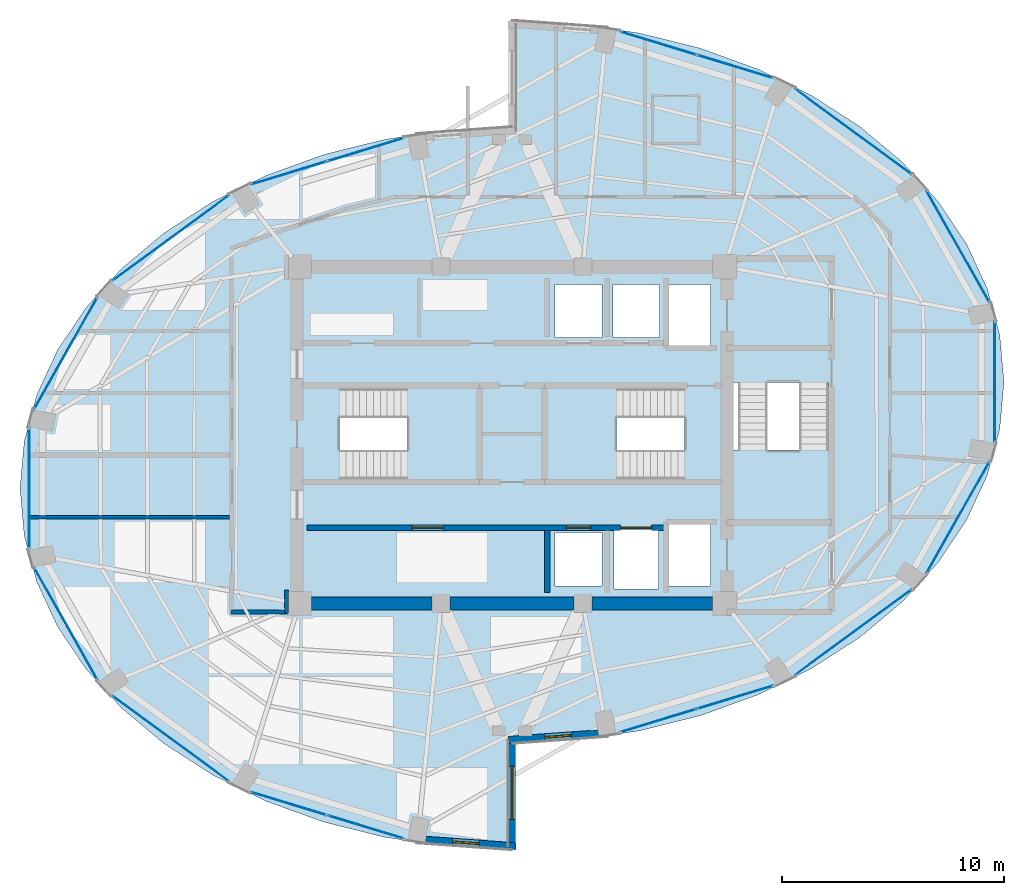
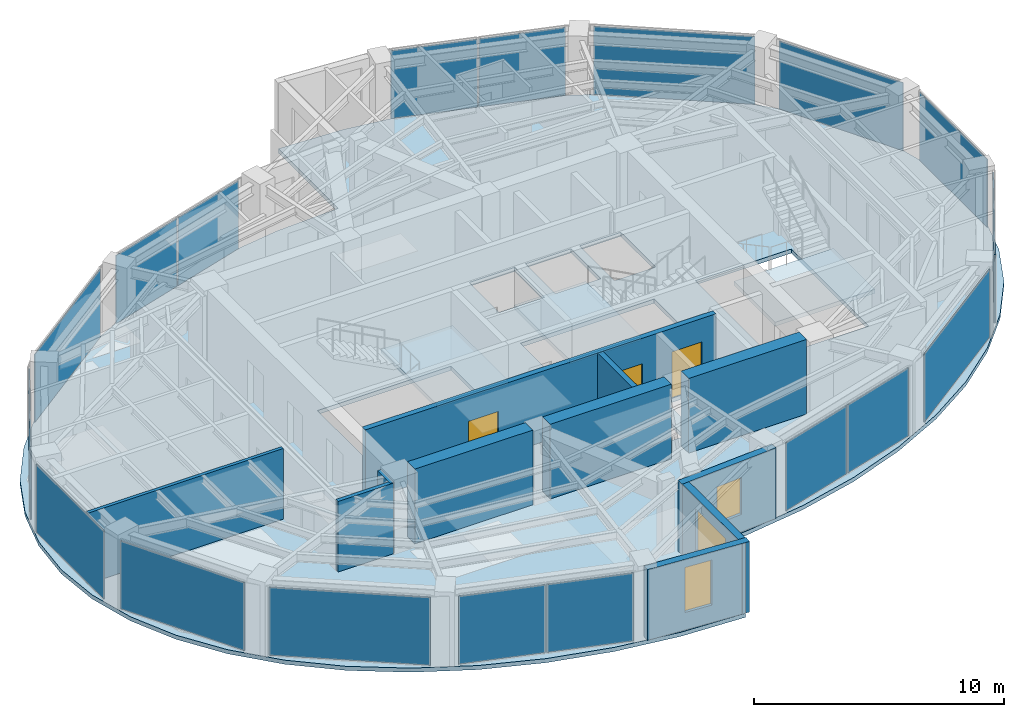
# One storey, part 18 of 23: 18 plates, 11 walls, 4 slabs, 3 doors, 3 windows, 6 openings, 17 elements without a shape of their own.
"""IFC4 building model written with IfcOpenShell, lengths in metres."""

from ifc_helpers import new_model, si_unit, direction, frame, frame_2d, origin, origin_2d, place, context, subcontext, project, spatial, polyline, rectangle, outline, extrude, material, layer, layer_set, type_object, element, fill, aggregate, save


model = new_model("IFC4")

# Units and contexts
model_context = context("Model", 3, precision=1e-05, world=origin(), true_north=direction((0.0, 1.0)))
body_context = subcontext(model_context, "Body", "Model", "MODEL_VIEW")
ifc_project = project(units=[si_unit("LENGTHUNIT", "METRE"), si_unit("AREAUNIT", "SQUARE_METRE"), si_unit("VOLUMEUNIT", "CUBIC_METRE"), si_unit("PLANEANGLEUNIT", "RADIAN"), si_unit("MASSUNIT", "GRAM", prefix="KILO")], contexts=[model_context])

# Site, building, storey
site_placement = place(None, origin())
site = spatial("IfcSite", under=ifc_project, at=site_placement, CompositionType="ELEMENT")
building_placement = place(site_placement, origin())
building = spatial("IfcBuilding", under=site, at=building_placement, Name="Lazwardi Medical Tower", CompositionType="ELEMENT")
storey_placement = place(building_placement, frame((0.0, 0.0, 202.1279296875)))
storey = spatial("IfcBuildingStorey", under=building, at=storey_placement, Name="L52", CompositionType="ELEMENT", Elevation=202.1279296875)

# Curtain wall, plates
ifc_material_1 = material(Name="Anodised bronze aluminium and solar control glazing", Category="aluminium")
ifc_layer_1 = layer(ifc_material_1, 0.18994140625)
ifc_layer_set_1 = layer_set([ifc_layer_1], Name="Anodised bronze aluminium and solar control glazing")
curtain_wall_type = type_object("IfcCurtainWallType", Name="CW-SYS-04", PredefinedType="NOTDEFINED", material=ifc_layer_set_1)
curtain_wall_1_placement = place(storey_placement, origin())
curtain_wall_1 = element("IfcCurtainWall", 1, at=curtain_wall_1_placement, inside=storey, type_object=curtain_wall_type, Name="L52 Unitised bronze curtain wall CW-04", PredefinedType="NOTDEFINED")
ifc_material_2 = material(Name="Low-e bronze solar control double glazing", Category="glass")
ifc_layer_2 = layer(ifc_material_2, 0.035888671875)
ifc_layer_set_2 = layer_set([ifc_layer_2], Name="Low-e bronze solar control double glazing")
plate_type = type_object("IfcPlateType", Name="PLT-GLZ-01", PredefinedType="CURTAIN_PANEL", material=ifc_layer_set_2)
plate_1_placement = place(storey_placement, frame((42.604736328125, 15.118896484375, 0.06494140625), z_axis=(0.0, 0.0, 1.0), x_axis=(0.956850126972, 0.290581889515, 0.0)))
plate_1 = element("IfcPlate", 2, at=plate_1_placement, type_object=plate_type, Name="CW-04 panel 1.1", PredefinedType="CURTAIN_PANEL", context=body_context, shape_type="SweptSolid", body=[
    extrude(rectangle(XDim=3.554443359375, YDim=0.035888671875, at=origin_2d()), origin(), (0.0, 0.0, 1.0), 3.318115234375),
])
plate_2_placement = place(storey_placement, frame((46.068115234375, 16.170654296875, 0.06494140625), z_axis=(0.0, 0.0, 1.0), x_axis=(0.956850126972, 0.290581889515, 0.0)))
plate_2 = element("IfcPlate", 3, at=plate_2_placement, type_object=plate_type, Name="CW-04 panel 2.1", PredefinedType="CURTAIN_PANEL", context=body_context, shape_type="SweptSolid", body=[
    extrude(rectangle(XDim=3.554443359375, YDim=0.035888671875, at=origin_2d()), origin(), (0.0, 0.0, 1.0), 3.318115234375),
])
aggregate(curtain_wall_1, [plate_1, plate_2])

# Curtain wall, plate
curtain_wall_2_placement = place(storey_placement, origin())
curtain_wall_2 = element("IfcCurtainWall", 4, at=curtain_wall_2_placement, inside=storey, type_object=curtain_wall_type, Name="L52 Unitised bronze curtain wall CW-04", PredefinedType="NOTDEFINED")
plate_3_placement = place(storey_placement, frame((51.403564453125, 19.106689453125, 0.06494140625), z_axis=(0.0, 0.0, 1.0), x_axis=(0.806474971121, 0.591268230971, 0.0)))
plate_3 = element("IfcPlate", 5, at=plate_3_placement, type_object=plate_type, Name="CW-04 panel 1.1", PredefinedType="CURTAIN_PANEL", context=body_context, shape_type="SweptSolid", body=[
    extrude(rectangle(XDim=6.502685546875, YDim=0.035888671875, at=origin_2d()), origin(), (0.0, 0.0, 1.0), 3.318115234375),
])
aggregate(curtain_wall_2, [plate_3])

curtain_wall_3_placement = place(storey_placement, origin())
curtain_wall_3 = element("IfcCurtainWall", 6, at=curtain_wall_3_placement, inside=storey, type_object=curtain_wall_type, Name="L52 Unitised bronze curtain wall CW-04", PredefinedType="NOTDEFINED")
plate_4_placement = place(storey_placement, frame((56.125732421875, 24.2880859375, 0.06494140625), z_axis=(0.0, 0.0, 1.0), x_axis=(0.491900474661, 0.870651436011, 0.0)))
plate_4 = element("IfcPlate", 7, at=plate_4_placement, type_object=plate_type, Name="CW-04 panel 1.1", PredefinedType="CURTAIN_PANEL", context=body_context, shape_type="SweptSolid", body=[
    extrude(rectangle(XDim=5.755126953125, YDim=0.035888671875, at=origin_2d()), origin(), (0.0, 0.0, 1.0), 3.318115234375),
])
aggregate(curtain_wall_3, [plate_4])

curtain_wall_4_placement = place(storey_placement, origin())
curtain_wall_4 = element("IfcCurtainWall", 8, at=curtain_wall_4_placement, inside=storey, type_object=curtain_wall_type, Name="L52 Unitised bronze curtain wall CW-04", PredefinedType="NOTDEFINED")
plate_5_placement = place(storey_placement, frame((57.7841796875, 30.39990234375, 0.06494140625), z_axis=(0.0, 0.0, 1.0), x_axis=(0.0, 1.0, 0.0)))
plate_5 = element("IfcPlate", 9, at=plate_5_placement, type_object=plate_type, Name="CW-04 panel 1.1", PredefinedType="CURTAIN_PANEL", context=body_context, shape_type="SweptSolid", body=[
    extrude(rectangle(XDim=5.416015625, YDim=0.035888671875, at=origin_2d()), origin(), (0.0, 0.0, 1.0), 3.318115234375),
])
aggregate(curtain_wall_4, [plate_5])

curtain_wall_5_placement = place(storey_placement, origin())
curtain_wall_5 = element("IfcCurtainWall", 10, at=curtain_wall_5_placement, inside=storey, type_object=curtain_wall_type, Name="L52 Unitised bronze curtain wall CW-04", PredefinedType="NOTDEFINED")
plate_6_placement = place(storey_placement, frame((56.125732421875, 36.511962890625, 0.06494140625), z_axis=(0.0, 0.0, 1.0), x_axis=(-0.491900474661, 0.870651436011, 0.0)))
plate_6 = element("IfcPlate", 11, at=plate_6_placement, type_object=plate_type, Name="CW-04 panel 1.1", PredefinedType="CURTAIN_PANEL", context=body_context, shape_type="SweptSolid", body=[
    extrude(rectangle(XDim=5.755126953125, YDim=0.035888671875, at=origin_2d()), origin(), (0.0, 0.0, 1.0), 3.318115234375),
])
aggregate(curtain_wall_5, [plate_6])

curtain_wall_6_placement = place(storey_placement, origin())
curtain_wall_6 = element("IfcCurtainWall", 12, at=curtain_wall_6_placement, inside=storey, type_object=curtain_wall_type, Name="L52 Unitised bronze curtain wall CW-04", PredefinedType="NOTDEFINED")
plate_7_placement = place(storey_placement, frame((51.403564453125, 41.693359375, 0.06494140625), z_axis=(0.0, 0.0, 1.0), x_axis=(-0.806474971121, 0.591268230971, 0.0)))
plate_7 = element("IfcPlate", 13, at=plate_7_placement, type_object=plate_type, Name="CW-04 panel 1.1", PredefinedType="CURTAIN_PANEL", context=body_context, shape_type="SweptSolid", body=[
    extrude(rectangle(XDim=6.502685546875, YDim=0.035888671875, at=origin_2d()), origin(), (0.0, 0.0, 1.0), 3.318115234375),
])
aggregate(curtain_wall_6, [plate_7])

# Curtain wall, plates
curtain_wall_7_placement = place(storey_placement, origin())
curtain_wall_7 = element("IfcCurtainWall", 14, at=curtain_wall_7_placement, inside=storey, type_object=curtain_wall_type, Name="L52 Unitised bronze curtain wall CW-04", PredefinedType="NOTDEFINED")
plate_8_placement = place(storey_placement, frame((46.068115234375, 44.62939453125, 0.06494140625), z_axis=(0.0, 0.0, 1.0), x_axis=(-0.956850126972, 0.290581889515, 0.0)))
plate_8 = element("IfcPlate", 15, at=plate_8_placement, type_object=plate_type, Name="CW-04 panel 1.1", PredefinedType="CURTAIN_PANEL", context=body_context, shape_type="SweptSolid", body=[
    extrude(rectangle(XDim=3.554443359375, YDim=0.035888671875, at=origin_2d()), origin(), (0.0, 0.0, 1.0), 3.318115234375),
])
plate_9_placement = place(storey_placement, frame((42.604736328125, 45.68115234375, 0.06494140625), z_axis=(0.0, 0.0, 1.0), x_axis=(-0.956850126972, 0.290581889515, 0.0)))
plate_9 = element("IfcPlate", 16, at=plate_9_placement, type_object=plate_type, Name="CW-04 panel 2.1", PredefinedType="CURTAIN_PANEL", context=body_context, shape_type="SweptSolid", body=[
    extrude(rectangle(XDim=3.554443359375, YDim=0.035888671875, at=origin_2d()), origin(), (0.0, 0.0, 1.0), 3.318115234375),
])
aggregate(curtain_wall_7, [plate_8, plate_9])

curtain_wall_8_placement = place(storey_placement, origin())
curtain_wall_8 = element("IfcCurtainWall", 17, at=curtain_wall_8_placement, inside=storey, type_object=curtain_wall_type, Name="L52 Unitised bronze curtain wall CW-04", PredefinedType="NOTDEFINED")
plate_10_placement = place(storey_placement, frame((29.395263671875, 40.881103515625, 0.06494140625), z_axis=(0.0, 0.0, 1.0), x_axis=(-0.956850126972, -0.290581889515, 0.0)))
plate_10 = element("IfcPlate", 18, at=plate_10_placement, type_object=plate_type, Name="CW-04 panel 1.1", PredefinedType="CURTAIN_PANEL", context=body_context, shape_type="SweptSolid", body=[
    extrude(rectangle(XDim=3.554443359375, YDim=0.035888671875, at=origin_2d()), origin(), (0.0, 0.0, 1.0), 3.318115234375),
])
plate_11_placement = place(storey_placement, frame((25.931884765625, 39.829345703125, 0.06494140625), z_axis=(0.0, 0.0, 1.0), x_axis=(-0.956850126972, -0.290581889515, 0.0)))
plate_11 = element("IfcPlate", 19, at=plate_11_placement, type_object=plate_type, Name="CW-04 panel 2.1", PredefinedType="CURTAIN_PANEL", context=body_context, shape_type="SweptSolid", body=[
    extrude(rectangle(XDim=3.554443359375, YDim=0.035888671875, at=origin_2d()), origin(), (0.0, 0.0, 1.0), 3.318115234375),
])
aggregate(curtain_wall_8, [plate_10, plate_11])

# Curtain wall, plate
curtain_wall_9_placement = place(storey_placement, origin())
curtain_wall_9 = element("IfcCurtainWall", 20, at=curtain_wall_9_placement, inside=storey, type_object=curtain_wall_type, Name="L52 Unitised bronze curtain wall CW-04", PredefinedType="NOTDEFINED")
plate_12_placement = place(storey_placement, frame((20.596435546875, 36.893310546875, 0.06494140625), z_axis=(0.0, 0.0, 1.0), x_axis=(-0.806474971121, -0.591268230971, 0.0)))
plate_12 = element("IfcPlate", 21, at=plate_12_placement, type_object=plate_type, Name="CW-04 panel 1.1", PredefinedType="CURTAIN_PANEL", context=body_context, shape_type="SweptSolid", body=[
    extrude(rectangle(XDim=6.502685546875, YDim=0.035888671875, at=origin_2d()), origin(), (0.0, 0.0, 1.0), 3.318115234375),
])
aggregate(curtain_wall_9, [plate_12])

curtain_wall_10_placement = place(storey_placement, origin())
curtain_wall_10 = element("IfcCurtainWall", 22, at=curtain_wall_10_placement, inside=storey, type_object=curtain_wall_type, Name="L52 Unitised bronze curtain wall CW-04", PredefinedType="NOTDEFINED")
plate_13_placement = place(storey_placement, frame((15.874267578125, 31.7119140625, 0.06494140625), z_axis=(0.0, 0.0, 1.0), x_axis=(-0.491900474661, -0.870651436011, 0.0)))
plate_13 = element("IfcPlate", 23, at=plate_13_placement, type_object=plate_type, Name="CW-04 panel 1.1", PredefinedType="CURTAIN_PANEL", context=body_context, shape_type="SweptSolid", body=[
    extrude(rectangle(XDim=5.755126953125, YDim=0.035888671875, at=origin_2d()), origin(), (0.0, 0.0, 1.0), 3.318115234375),
])
aggregate(curtain_wall_10, [plate_13])

curtain_wall_11_placement = place(storey_placement, origin())
curtain_wall_11 = element("IfcCurtainWall", 24, at=curtain_wall_11_placement, inside=storey, type_object=curtain_wall_type, Name="L52 Unitised bronze curtain wall CW-04", PredefinedType="NOTDEFINED")
plate_14_placement = place(storey_placement, frame((14.2158203125, 25.60009765625, 0.06494140625), z_axis=(0.0, 0.0, 1.0), x_axis=(0.0, -1.0, 0.0)))
plate_14 = element("IfcPlate", 25, at=plate_14_placement, type_object=plate_type, Name="CW-04 panel 1.1", PredefinedType="CURTAIN_PANEL", context=body_context, shape_type="SweptSolid", body=[
    extrude(rectangle(XDim=5.416015625, YDim=0.035888671875, at=origin_2d()), origin(), (0.0, 0.0, 1.0), 3.318115234375),
])
aggregate(curtain_wall_11, [plate_14])

curtain_wall_12_placement = place(storey_placement, origin())
curtain_wall_12 = element("IfcCurtainWall", 26, at=curtain_wall_12_placement, inside=storey, type_object=curtain_wall_type, Name="L52 Unitised bronze curtain wall CW-04", PredefinedType="NOTDEFINED")
plate_15_placement = place(storey_placement, frame((15.874267578125, 19.488037109375, 0.06494140625), z_axis=(0.0, 0.0, 1.0), x_axis=(0.491900474661, -0.870651436011, 0.0)))
plate_15 = element("IfcPlate", 27, at=plate_15_placement, type_object=plate_type, Name="CW-04 panel 1.1", PredefinedType="CURTAIN_PANEL", context=body_context, shape_type="SweptSolid", body=[
    extrude(rectangle(XDim=5.755126953125, YDim=0.035888671875, at=origin_2d()), origin(), (0.0, 0.0, 1.0), 3.318115234375),
])
aggregate(curtain_wall_12, [plate_15])

curtain_wall_13_placement = place(storey_placement, origin())
curtain_wall_13 = element("IfcCurtainWall", 28, at=curtain_wall_13_placement, inside=storey, type_object=curtain_wall_type, Name="L52 Unitised bronze curtain wall CW-04", PredefinedType="NOTDEFINED")
plate_16_placement = place(storey_placement, frame((20.596435546875, 14.306640625, 0.06494140625), z_axis=(0.0, 0.0, 1.0), x_axis=(0.806474971121, -0.591268230971, 0.0)))
plate_16 = element("IfcPlate", 29, at=plate_16_placement, type_object=plate_type, Name="CW-04 panel 1.1", PredefinedType="CURTAIN_PANEL", context=body_context, shape_type="SweptSolid", body=[
    extrude(rectangle(XDim=6.502685546875, YDim=0.035888671875, at=origin_2d()), origin(), (0.0, 0.0, 1.0), 3.318115234375),
])
aggregate(curtain_wall_13, [plate_16])

# Curtain wall, plates
curtain_wall_14_placement = place(storey_placement, origin())
curtain_wall_14 = element("IfcCurtainWall", 30, at=curtain_wall_14_placement, inside=storey, type_object=curtain_wall_type, Name="L52 Unitised bronze curtain wall CW-04", PredefinedType="NOTDEFINED")
plate_17_placement = place(storey_placement, frame((25.931884765625, 11.37060546875, 0.06494140625), z_axis=(0.0, 0.0, 1.0), x_axis=(0.956850126972, -0.290581889515, 0.0)))
plate_17 = element("IfcPlate", 31, at=plate_17_placement, type_object=plate_type, Name="CW-04 panel 1.1", PredefinedType="CURTAIN_PANEL", context=body_context, shape_type="SweptSolid", body=[
    extrude(rectangle(XDim=3.554443359375, YDim=0.035888671875, at=origin_2d()), origin(), (0.0, 0.0, 1.0), 3.318115234375),
])
plate_18_placement = place(storey_placement, frame((29.395263671875, 10.31884765625, 0.06494140625), z_axis=(0.0, 0.0, 1.0), x_axis=(0.956850126972, -0.290581889515, 0.0)))
plate_18 = element("IfcPlate", 32, at=plate_18_placement, type_object=plate_type, Name="CW-04 panel 2.1", PredefinedType="CURTAIN_PANEL", context=body_context, shape_type="SweptSolid", body=[
    extrude(rectangle(XDim=3.554443359375, YDim=0.035888671875, at=origin_2d()), origin(), (0.0, 0.0, 1.0), 3.318115234375),
])
aggregate(curtain_wall_14, [plate_17, plate_18])

# Stair, slab
ifc_material_3 = material(Name="Concrete C45/55", Category="concrete")
stair_type = type_object("IfcStairType", Name="STR-WRD", PredefinedType="HALF_TURN_STAIR", material=ifc_material_3)
stair_1_placement = place(storey_placement, origin())
stair_1 = element("IfcStair", 33, at=stair_1_placement, inside=storey, type_object=stair_type, Name="L52 Protected Exit Stair ST1", PredefinedType="HALF_TURN_STAIR")
ifc_layer_3 = layer(ifc_material_3, 0.199951171875)
ifc_layer_set_3 = layer_set([ifc_layer_3], Name="Concrete C45/55")
slab_type_1 = type_object("IfcSlabType", Name="SLB-LND-190", PredefinedType="LANDING", material=ifc_layer_set_3)
slab_1_placement = place(storey_placement, frame((0.0, 0.0, 1.6240234375)))
slab_1 = element("IfcSlab", 34, at=slab_1_placement, type_object=slab_type_1, Name="ST1 landing 1", PredefinedType="LANDING", context=body_context, shape_type="SweptSolid", body=[
    extrude(outline(polyline([(31.27490234375, 25.840087890625), (34.580078125, 25.840087890625), (34.580078125, 30.280029296875), (31.27490234375, 30.280029296875), (31.27490234375, 25.840087890625)])), origin(), (0.0, 0.0, 1.0), 0.199951171875),
])
aggregate(stair_1, [slab_1])

stair_2_placement = place(storey_placement, origin())
stair_2 = element("IfcStair", 35, at=stair_2_placement, inside=storey, type_object=stair_type, Name="L52 Protected Exit Stair ST2", PredefinedType="HALF_TURN_STAIR")
slab_2_placement = place(storey_placement, frame((0.0, 0.0, 1.6240234375)))
slab_2 = element("IfcSlab", 36, at=slab_2_placement, type_object=slab_type_1, Name="ST2 landing 1", PredefinedType="LANDING", context=body_context, shape_type="SweptSolid", body=[
    extrude(outline(polyline([(40.72509765625, 30.280029296875), (37.419921875, 30.280029296875), (37.419921875, 25.840087890625), (40.72509765625, 25.840087890625), (40.72509765625, 30.280029296875)])), origin(), (0.0, 0.0, 1.0), 0.199951171875),
])
aggregate(stair_2, [slab_2])

stair_3_placement = place(storey_placement, origin())
stair_3 = element("IfcStair", 37, at=stair_3_placement, inside=storey, type_object=stair_type, Name="L52 Protected Exit Stair ST3", PredefinedType="HALF_TURN_STAIR")
slab_3_placement = place(storey_placement, frame((0.0, 0.0, 1.6240234375)))
slab_3 = element("IfcSlab", 38, at=slab_3_placement, type_object=slab_type_1, Name="ST3 landing 1", PredefinedType="LANDING", context=body_context, shape_type="SweptSolid", body=[
    extrude(outline(polyline([(45.860107421875, 27.324951171875), (45.860107421875, 24.02001953125), (50.4599609375, 24.02001953125), (50.4599609375, 27.324951171875), (45.860107421875, 27.324951171875)])), origin(), (0.0, 0.0, 1.0), 0.199951171875),
])
aggregate(stair_3, [slab_3])

# Slab
ifc_material_4 = material(Name="Concrete C50/60", Category="concrete")
ifc_layer_4 = layer(ifc_material_4, 0.199951171875)
ifc_layer_set_4 = layer_set([ifc_layer_4], Name="Concrete C50/60")
slab_type_2 = type_object("IfcSlabType", Name="SLB-UPP-200", PredefinedType="FLOOR", material=ifc_layer_set_4)
slab_4_placement = place(storey_placement, frame((0.0, 0.0, -0.199951171875)))
element("IfcSlab", 39, at=slab_4_placement, inside=storey, type_object=slab_type_2, Name="Structural floor slab SF-04 L52", PredefinedType="FLOOR", context=body_context, shape_type="SweptSolid", body=[
    extrude(outline(polyline([(18.3876953125, 15.67724609375), (20.30224609375, 14.07421875), (22.485595703125, 12.668212890625), (24.89990234375, 11.48388671875), (27.50439453125, 10.540771484375), (30.254150390625, 9.85546875), (33.102294921875, 9.439453125), (36.0, 9.300048828125), (36.0, 14.10009765625), (38.897705078125, 14.239501953125), (41.745849609375, 14.655517578125), (44.49560546875, 15.3408203125), (47.10009765625, 16.28369140625), (49.514404296875, 17.46826171875), (51.69775390625, 18.874267578125), (53.6123046875, 20.477294921875), (55.225830078125, 22.25), (56.510009765625, 24.162353515625), (57.443603515625, 26.18115234375), (58.010009765625, 28.2724609375), (58.199951171875, 30.39990234375), (58.010009765625, 32.527587890625), (57.443603515625, 34.618896484375), (56.510009765625, 36.6376953125), (55.225830078125, 38.550048828125), (53.6123046875, 40.32275390625), (51.69775390625, 41.92578125), (49.514404296875, 43.331787109375), (47.10009765625, 44.51611328125), (44.49560546875, 45.459228515625), (41.745849609375, 46.14453125), (38.897705078125, 46.560546875), (36.0, 46.699951171875), (36.0, 41.89990234375), (33.102294921875, 41.760498046875), (30.254150390625, 41.344482421875), (27.50439453125, 40.6591796875), (24.89990234375, 39.71630859375), (22.485595703125, 38.53173828125), (20.30224609375, 37.125732421875), (18.3876953125, 35.522705078125), (16.774169921875, 33.75), (15.489990234375, 31.837646484375), (14.556396484375, 29.81884765625), (13.989990234375, 27.7275390625), (13.800048828125, 25.60009765625), (13.989990234375, 23.472412109375), (14.556396484375, 21.381103515625), (15.489990234375, 19.3623046875), (16.774169921875, 17.449951171875), (18.3876953125, 15.67724609375)]), holes=[polyline([(28.22509765625, 26.02001953125), (28.22509765625, 30.10009765625), (34.39990234375, 30.10009765625), (34.39990234375, 26.02001953125), (28.22509765625, 26.02001953125)]), polyline([(37.60009765625, 30.10009765625), (43.77490234375, 30.10009765625), (43.77490234375, 26.02001953125), (37.60009765625, 26.02001953125), (37.60009765625, 30.10009765625)]), polyline([(50.280029296875, 30.375), (50.280029296875, 24.179931640625), (45.840087890625, 24.179931640625), (45.840087890625, 30.375), (50.280029296875, 30.375)]), polyline([(40.050048828125, 32.39990234375), (37.949951171875, 32.39990234375), (37.949951171875, 34.800048828125), (40.050048828125, 34.800048828125), (40.050048828125, 32.39990234375)]), polyline([(40.550048828125, 32.39990234375), (40.550048828125, 34.800048828125), (42.64990234375, 34.800048828125), (42.64990234375, 32.39990234375), (40.550048828125, 32.39990234375)]), polyline([(37.949951171875, 23.60009765625), (40.050048828125, 23.60009765625), (40.050048828125, 21.199951171875), (37.949951171875, 21.199951171875), (37.949951171875, 23.60009765625)]), polyline([(44.949951171875, 34.800048828125), (44.949951171875, 32.0), (43.050048828125, 32.0), (43.050048828125, 34.800048828125), (44.949951171875, 34.800048828125)]), polyline([(44.949951171875, 21.199951171875), (43.050048828125, 21.199951171875), (43.050048828125, 24.0), (44.949951171875, 24.0), (44.949951171875, 21.199951171875)]), polyline([(40.60009765625, 21.050048828125), (40.60009765625, 23.75), (42.60009765625, 23.75), (42.60009765625, 21.050048828125), (40.60009765625, 21.050048828125)])]), origin(), (0.0, 0.0, 1.0), 0.199951171875),
])

# Walls
ifc_material_5 = material(Name="Fire-rated gypsum board on steel stud", Category="steel")
ifc_layer_5 = layer(ifc_material_5, 0.179931640625)
ifc_layer_set_5 = layer_set([ifc_layer_5], Name="Fire-rated gypsum board on steel stud")
wall_type_1 = type_object("IfcWallType", Name="WL-COR-180", PredefinedType="PARTITIONING", material=ifc_layer_set_5)
wall_1_placement = place(storey_placement, frame((25.830078125, 21.010009765625, 0.0), z_axis=(0.0, 0.0, 1.0), x_axis=(0.0, -1.0, 0.0)))
element("IfcWall", 40, at=wall_1_placement, inside=storey, type_object=wall_type_1, Name="L52 Corridor partition 8", PredefinedType="PARTITIONING", context=body_context, shape_type="SweptSolid", body=[
    extrude(rectangle(XDim=1.030029296875, YDim=0.179931640625, at=frame_2d((0.51513671875, 0.0))), origin(), (0.0, 0.0, 1.0), 3.447998046875),
])
wall_2_placement = place(storey_placement, frame((25.8701171875, 20.02001953125, 0.0), z_axis=(0.0, 0.0, 1.0), x_axis=(-1.0, 0.0, 0.0)))
element("IfcWall", 41, at=wall_2_placement, inside=storey, type_object=wall_type_1, Name="L52 Corridor partition 9", PredefinedType="PARTITIONING", context=body_context, shape_type="SweptSolid", body=[
    extrude(rectangle(XDim=2.56005859375, YDim=0.179931640625, at=frame_2d((1.280029296875, 0.0))), origin(), (0.0, 0.0, 1.0), 3.447998046875),
])
ifc_material_6 = material(Name="Concrete C60/75", Category="concrete")
ifc_layer_6 = layer(ifc_material_6, 0.60009765625)
ifc_layer_set_6 = layer_set([ifc_layer_6], Name="Concrete C60/75")
wall_type_2 = type_object("IfcWallType", Name="WL-CORE-600", PredefinedType="SHEAR", material=ifc_layer_set_6)
wall_3_placement = place(storey_placement, frame((26.949951171875, 20.39990234375, 0.0), z_axis=(0.0, 0.0, 1.0), x_axis=(1.0, 0.0, 0.0)))
element("IfcWall", 42, at=wall_3_placement, inside=storey, type_object=wall_type_2, Name="Core wall CW-S3 S1 L52", PredefinedType="SHEAR", context=body_context, shape_type="SweptSolid", body=[
    extrude(rectangle(XDim=5.449951171875, YDim=0.60009765625, at=frame_2d((2.72509765625, 0.0))), origin(), (0.0, 0.0, 1.0), 3.64794921875),
])
wall_4_placement = place(storey_placement, frame((33.199951171875, 20.39990234375, 0.0), z_axis=(0.0, 0.0, 1.0), x_axis=(1.0, 0.0, 0.0)))
element("IfcWall", 43, at=wall_4_placement, inside=storey, type_object=wall_type_2, Name="Core wall CW-S3 S2 L52", PredefinedType="SHEAR", context=body_context, shape_type="SweptSolid", body=[
    extrude(rectangle(XDim=5.60009765625, YDim=0.60009765625, at=frame_2d((2.800048828125, 0.0))), origin(), (0.0, 0.0, 1.0), 3.64794921875),
])
wall_5_placement = place(storey_placement, frame((39.60009765625, 20.39990234375, 0.0), z_axis=(0.0, 0.0, 1.0), x_axis=(1.0, 0.0, 0.0)))
element("IfcWall", 44, at=wall_5_placement, inside=storey, type_object=wall_type_2, Name="Core wall CW-S3 S3 L52", PredefinedType="SHEAR", context=body_context, shape_type="SweptSolid", body=[
    extrude(rectangle(XDim=5.449951171875, YDim=0.60009765625, at=frame_2d((2.72509765625, 0.0))), origin(), (0.0, 0.0, 1.0), 3.64794921875),
])

# Wall, opening, window
ifc_material_7 = material(Name="Precast concrete C45/55", Category="concrete")
ifc_layer_7 = layer(ifc_material_7, 0.320068359375)
ifc_layer_set_7 = layer_set([ifc_layer_7], Name="Precast concrete C45/55")
wall_type_3 = type_object("IfcWallType", Name="WL-IWAN-320", PredefinedType="SOLIDWALL", material=ifc_layer_set_7)
wall_6_placement = place(storey_placement, frame((35.820556640625, 14.2470703125, 0.0), z_axis=(0.0, 0.0, 1.0), x_axis=(0.997409061056, 0.071938619141, 0.0)))
wall_6 = element("IfcWall", 45, at=wall_6_placement, inside=storey, type_object=wall_type_3, Name="L52 Iwan Portal Return Wall SE_ret", PredefinedType="SOLIDWALL", context=body_context, shape_type="SweptSolid", body=[
    extrude(rectangle(XDim=4.540771484375, YDim=0.320068359375, at=frame_2d((2.2705078125, 0.0))), origin(), (0.0, 0.0, 1.0), 3.447998046875),
])
opening_1_placement = place(wall_6_placement, frame((1.67041015625, 0.0, 0.85009765625)))
opening_1 = element("IfcOpeningElement", 46, at=opening_1_placement, cuts=wall_6, Name="Opening WN-04", PredefinedType="OPENING", context=body_context, shape_type="SweptSolid", body=[
    extrude(rectangle(XDim=1.199951171875, YDim=1.800048828125, at=frame_2d((0.60009765625, 0.89990234375))), frame((0.0, 0.169921875, 0.0), z_axis=(0.0, -1.0, 0.0), x_axis=(1.0, 0.0, 0.0)), (0.0, 0.0, 1.0), 0.340087890625),
])
window_type_1 = type_object("IfcWindowType", Name="WIN-DRUM-1200", PartitioningType="SINGLE_PANEL", PredefinedType="WINDOW", material=ifc_material_2)
window_1_placement = place(opening_1_placement, origin())
window_1 = element("IfcWindow", 47, at=window_1_placement, inside=storey, type_object=window_type_1, Name="L52 Iwan Slot Window SE_ret", OverallHeight=1.800048828125, OverallWidth=1.199951171875, PartitioningType="SINGLE_PANEL", PredefinedType="WINDOW", context=body_context, shape_type="SweptSolid", body=[
    extrude(rectangle(XDim=1.199951171875, YDim=1.800048828125, at=frame_2d((0.60009765625, 0.89990234375))), frame((0.0, 0.030029296875, 0.0), z_axis=(0.0, -1.0, 0.0), x_axis=(1.0, 0.0, 0.0)), (0.0, 0.0, 1.0), 0.06005859375),
])
fill(opening_1, window_1)

wall_7_placement = place(storey_placement, frame((31.650390625, 9.773681640625, 0.0), z_axis=(0.0, 0.0, 1.0), x_axis=(0.997408782787, -0.071942477163, 0.0)))
wall_7 = element("IfcWall", 48, at=wall_7_placement, inside=storey, type_object=wall_type_3, Name="L52 Iwan Portal Return Wall SW_ret", PredefinedType="SOLIDWALL", context=body_context, shape_type="SweptSolid", body=[
    extrude(rectangle(XDim=4.54052734375, YDim=0.320068359375, at=frame_2d((2.270263671875, 0.0))), origin(), (0.0, 0.0, 1.0), 3.447998046875),
])
opening_2_placement = place(wall_7_placement, frame((1.67041015625, 0.0, 0.85009765625)))
opening_2 = element("IfcOpeningElement", 49, at=opening_2_placement, cuts=wall_7, Name="Opening WN-01", PredefinedType="OPENING", context=body_context, shape_type="SweptSolid", body=[
    extrude(rectangle(XDim=1.199951171875, YDim=2.199951171875, at=frame_2d((0.60009765625, 1.10009765625))), frame((0.0, 0.169921875, 0.0), z_axis=(0.0, -1.0, 0.0), x_axis=(1.0, 0.0, 0.0)), (0.0, 0.0, 1.0), 0.340087890625),
])
window_type_2 = type_object("IfcWindowType", Name="WIN-IW-1200", PartitioningType="SINGLE_PANEL", PredefinedType="WINDOW", material=ifc_material_2)
window_2_placement = place(opening_2_placement, origin())
window_2 = element("IfcWindow", 50, at=window_2_placement, inside=storey, type_object=window_type_2, Name="L52 Iwan Slot Window SW_ret", OverallHeight=2.199951171875, OverallWidth=1.199951171875, PartitioningType="SINGLE_PANEL", PredefinedType="WINDOW", context=body_context, shape_type="SweptSolid", body=[
    extrude(rectangle(XDim=1.199951171875, YDim=2.199951171875, at=frame_2d((0.60009765625, 1.10009765625))), frame((0.0, 0.030029296875, 0.0), z_axis=(0.0, -1.0, 0.0), x_axis=(1.0, 0.0, 0.0)), (0.0, 0.0, 1.0), 0.06005859375),
])
fill(opening_2, window_2)

wall_8_placement = place(storey_placement, frame((36.0, 9.300048828125, 0.0), z_axis=(0.0, 0.0, 1.0), x_axis=(0.0, 1.0, 0.0)))
wall_8 = element("IfcWall", 51, at=wall_8_placement, inside=storey, type_object=wall_type_3, Name="L52 Turquoise Tilework Iwan Seam Wall S_seam", PredefinedType="SOLIDWALL", context=body_context, shape_type="SweptSolid", body=[
    extrude(rectangle(XDim=5.119873046875, YDim=0.320068359375, at=frame_2d((2.56005859375, 0.0))), origin(), (0.0, 0.0, 1.0), 3.447998046875),
])
opening_3_placement = place(wall_8_placement, frame((1.360107421875, 0.0, 0.840087890625)))
opening_3 = element("IfcOpeningElement", 52, at=opening_3_placement, cuts=wall_8, Name="Opening WN-02", PredefinedType="OPENING", context=body_context, shape_type="SweptSolid", body=[
    extrude(rectangle(XDim=2.39990234375, YDim=2.0400390625, at=frame_2d((1.199951171875, 1.02001953125))), frame((0.0, 0.169921875, 0.0), z_axis=(0.0, -1.0, 0.0), x_axis=(1.0, 0.0, 0.0)), (0.0, 0.0, 1.0), 0.340087890625),
])
window_type_3 = type_object("IfcWindowType", Name="WIN-IW-2400", PartitioningType="SINGLE_PANEL", PredefinedType="WINDOW", material=ifc_material_2)
window_3_placement = place(opening_3_placement, origin())
window_3 = element("IfcWindow", 53, at=window_3_placement, inside=storey, type_object=window_type_3, Name="L52 Iwan Seam Window S_seam", OverallHeight=2.0400390625, OverallWidth=2.39990234375, PartitioningType="SINGLE_PANEL", PredefinedType="WINDOW", context=body_context, shape_type="SweptSolid", body=[
    extrude(rectangle(XDim=2.39990234375, YDim=2.0400390625, at=frame_2d((1.199951171875, 1.02001953125))), frame((0.0, 0.030029296875, 0.0), z_axis=(0.0, -1.0, 0.0), x_axis=(1.0, 0.0, 0.0)), (0.0, 0.0, 1.0), 0.06005859375),
])
fill(opening_3, window_3)

# Wall, openings, doors
ifc_material_8 = material(Name="Autoclaved aerated concrete blockwork", Category="masonry")
ifc_layer_8 = layer(ifc_material_8, 0.25)
ifc_layer_set_8 = layer_set([ifc_layer_8], Name="Autoclaved aerated concrete blockwork")
wall_type_4 = type_object("IfcWallType", Name="WL-SHAFT-250", PredefinedType="SOLIDWALL", material=ifc_layer_set_8)
wall_9_placement = place(storey_placement, frame((26.75, 23.830078125, 0.0), z_axis=(0.0, 0.0, 1.0), x_axis=(1.0, 0.0, 0.0)))
wall_9 = element("IfcWall", 54, at=wall_9_placement, inside=storey, type_object=wall_type_4, Name="L52 South lift bank front wall", PredefinedType="SOLIDWALL", context=body_context, shape_type="SweptSolid", body=[
    extrude(rectangle(XDim=16.199951171875, YDim=0.25, at=frame_2d((8.10009765625, 0.0))), origin(), (0.0, 0.0, 1.0), 3.447998046875),
])
opening_4_placement = place(wall_9_placement, frame((4.75, 0.0, 0.0)))
opening_4 = element("IfcOpeningElement", 55, at=opening_4_placement, cuts=wall_9, Name="Opening D-L52-006", PredefinedType="OPENING", context=body_context, shape_type="SweptSolid", body=[
    extrude(rectangle(XDim=1.39990234375, YDim=2.199951171875, at=frame_2d((0.699951171875, 1.10009765625))), frame((0.0, 0.135009765625, 0.0), z_axis=(0.0, -1.0, 0.0), x_axis=(1.0, 0.0, 0.0)), (0.0, 0.0, 1.0), 0.27001953125),
])
opening_5_placement = place(wall_9_placement, frame((11.699951171875, 0.0, 0.0)))
opening_5 = element("IfcOpeningElement", 56, at=opening_5_placement, cuts=wall_9, Name="Opening LD-L52-006", PredefinedType="OPENING", context=body_context, shape_type="SweptSolid", body=[
    extrude(rectangle(XDim=1.10009765625, YDim=2.199951171875, at=frame_2d((0.550048828125, 1.10009765625))), frame((0.0, 0.135009765625, 0.0), z_axis=(0.0, -1.0, 0.0), x_axis=(1.0, 0.0, 0.0)), (0.0, 0.0, 1.0), 0.27001953125),
])
opening_6_placement = place(wall_9_placement, frame((14.14990234375, 0.0, 0.0)))
opening_6 = element("IfcOpeningElement", 57, at=opening_6_placement, cuts=wall_9, Name="Opening LD-L52-003", PredefinedType="OPENING", context=body_context, shape_type="SweptSolid", body=[
    extrude(rectangle(XDim=1.39990234375, YDim=2.300048828125, at=frame_2d((0.699951171875, 1.14990234375))), frame((0.0, 0.135009765625, 0.0), z_axis=(0.0, -1.0, 0.0), x_axis=(1.0, 0.0, 0.0)), (0.0, 0.0, 1.0), 0.27001953125),
])
ifc_material_9 = material(Name="Anti-microbial laminate hospital leaf")
door_type_1 = type_object("IfcDoorType", Name="DR-BED-1400", OperationType="NOTDEFINED", PredefinedType="DOOR", material=ifc_material_9)
door_1_placement = place(opening_4_placement, origin())
door_1 = element("IfcDoor", 58, at=door_1_placement, inside=storey, type_object=door_type_1, Name="L52 Core Dialysis Door", OperationType="SINGLE_SWING_RIGHT", OverallHeight=2.199951171875, OverallWidth=1.39990234375, PredefinedType="DOOR", context=body_context, shape_type="SweptSolid", body=[
    extrude(rectangle(XDim=1.39990234375, YDim=2.199951171875, at=frame_2d((0.699951171875, 1.10009765625))), frame((0.0, 0.02490234375, 0.0), z_axis=(0.0, -1.0, 0.0), x_axis=(1.0, 0.0, 0.0)), (0.0, 0.0, 1.0), 0.050048828125),
])
fill(opening_4, door_1)
ifc_material_10 = material(Name="Brushed bronze stainless steel landing door", Category="steel")
door_type_2 = type_object("IfcDoorType", Name="DR-LFT-1100", OperationType="NOTDEFINED", PredefinedType="DOOR", material=ifc_material_10)
door_2_placement = place(opening_5_placement, origin())
door_2 = element("IfcDoor", 59, at=door_2_placement, inside=storey, type_object=door_type_2, Name="L52 Lift Landing Door PL-11", OperationType="SLIDING_TO_LEFT", OverallHeight=2.199951171875, OverallWidth=1.10009765625, PredefinedType="DOOR", context=body_context, shape_type="SweptSolid", body=[
    extrude(rectangle(XDim=1.10009765625, YDim=2.199951171875, at=frame_2d((0.550048828125, 1.10009765625))), frame((0.0, 0.02490234375, 0.0), z_axis=(0.0, -1.0, 0.0), x_axis=(1.0, 0.0, 0.0)), (0.0, 0.0, 1.0), 0.050048828125),
])
fill(opening_5, door_2)
ifc_material_11 = material(Name="Brushed stainless steel bed-lift landing door", Category="steel")
door_type_3 = type_object("IfcDoorType", Name="DR-LFT-1400", OperationType="NOTDEFINED", PredefinedType="DOOR", material=ifc_material_11)
door_3_placement = place(opening_6_placement, origin())
door_3 = element("IfcDoor", 60, at=door_3_placement, inside=storey, type_object=door_type_3, Name="L52 Lift Landing Door FL-03", OperationType="SLIDING_TO_LEFT", OverallHeight=2.300048828125, OverallWidth=1.39990234375, PredefinedType="DOOR", context=body_context, shape_type="SweptSolid", body=[
    extrude(rectangle(XDim=1.39990234375, YDim=2.300048828125, at=frame_2d((0.699951171875, 1.14990234375))), frame((0.0, 0.02490234375, 0.0), z_axis=(0.0, -1.0, 0.0), x_axis=(1.0, 0.0, 0.0)), (0.0, 0.0, 1.0), 0.050048828125),
])
fill(opening_6, door_3)

# Walls
wall_10_placement = place(storey_placement, frame((37.60009765625, 20.89990234375, 0.0), z_axis=(0.0, 0.0, 1.0), x_axis=(0.0, 1.0, 0.0)))
element("IfcWall", 61, at=wall_10_placement, inside=storey, type_object=wall_type_4, Name="L52 South hoistway divider", PredefinedType="SOLIDWALL", context=body_context, shape_type="SweptSolid", body=[
    extrude(rectangle(XDim=2.800048828125, YDim=0.25, at=frame_2d((1.39990234375, 0.0))), origin(), (0.0, 0.0, 1.0), 3.447998046875),
])
ifc_material_12 = material(Name="Acoustic gypsum board partition")
ifc_layer_9 = layer(ifc_material_12, 0.14990234375)
ifc_layer_set_9 = layer_set([ifc_layer_9], Name="Acoustic gypsum board partition")
wall_type_5 = type_object("IfcWallType", Name="WL-WRD-150", PredefinedType="PARTITIONING", material=ifc_layer_set_9)
wall_11_placement = place(storey_placement, frame((14.228271484375, 24.300048828125, 0.0), z_axis=(0.0, 0.0, 1.0), x_axis=(1.0, 0.0, 0.0)))
element("IfcWall", 62, at=wall_11_placement, inside=storey, type_object=wall_type_5, Name="L52 Room partition 1", PredefinedType="PARTITIONING", context=body_context, shape_type="SweptSolid", body=[
    extrude(rectangle(XDim=9.03173828125, YDim=0.14990234375, at=frame_2d((4.515869140625, 0.0))), origin(), (0.0, 0.0, 1.0), 3.447998046875),
])

save(model, "model.ifc")
